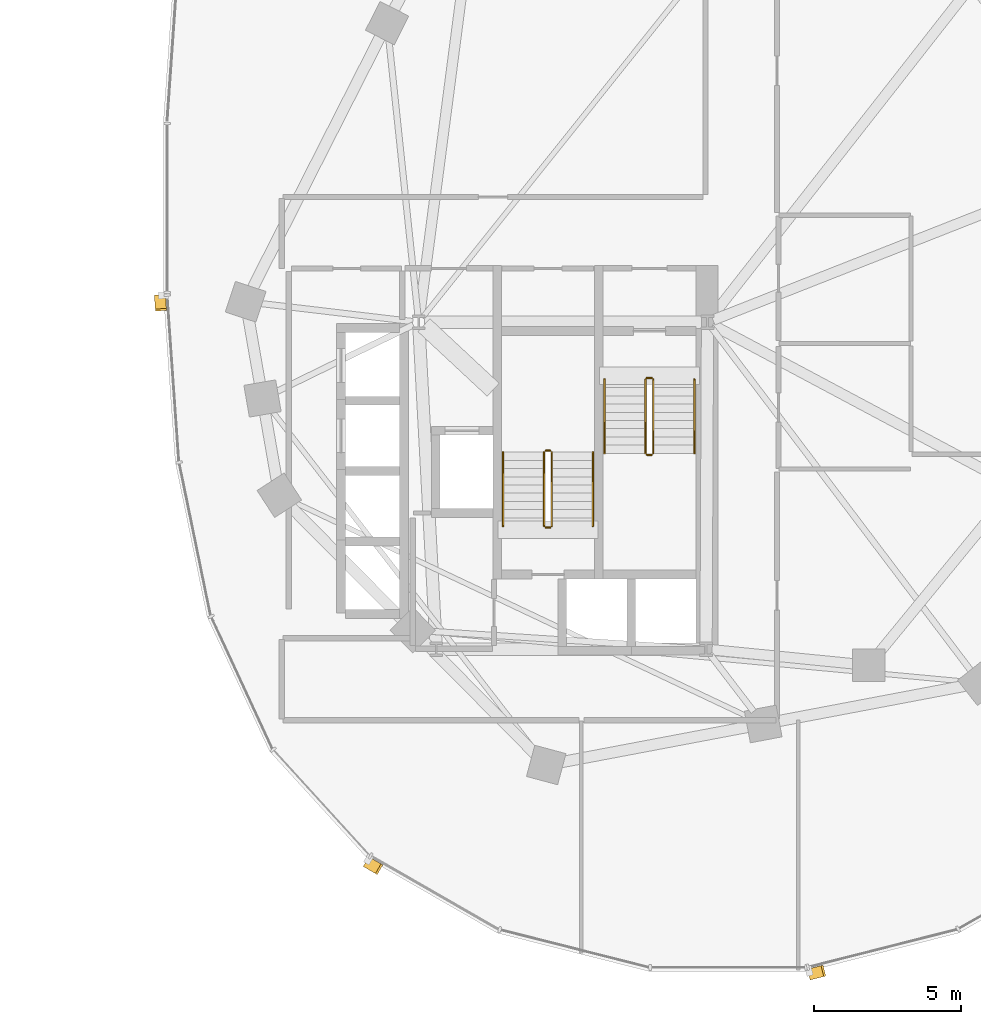
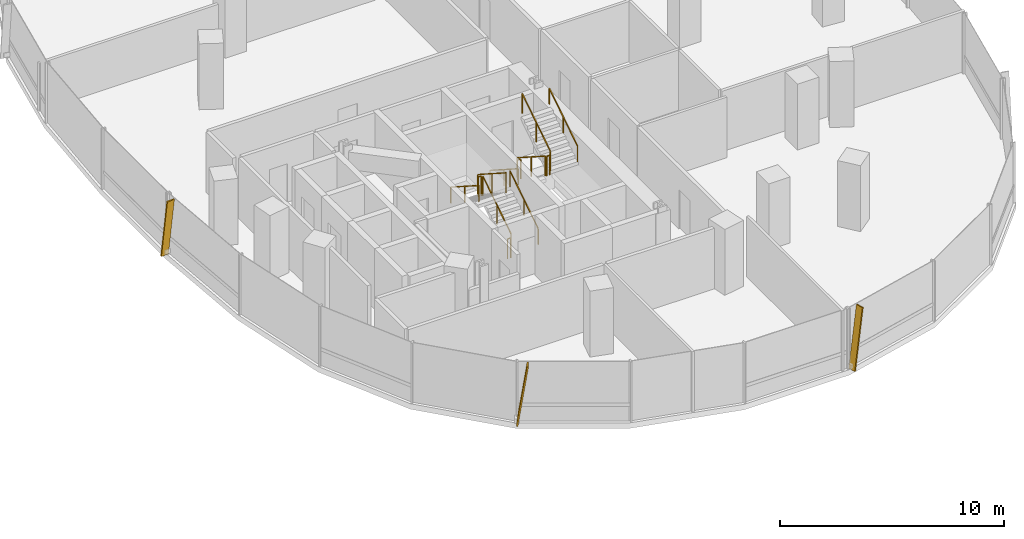
# One storey, part 20 of 21: 12 railings, 3 shading devices.
"""IFC4 building model written with IfcOpenShell, lengths in metres."""

from ifc_helpers import new_model, si_unit, direction, frame, origin, origin_2d, place, context, subcontext, project, spatial, rectangle, extrude, material, material_profile, profile_set, type_object, element, save


model = new_model("IFC4")

# Units and contexts
model_context = context("Model", 3, precision=1e-05, world=origin(), true_north=direction((0.0, 1.0)))
body_context = subcontext(model_context, "Body", "Model", "MODEL_VIEW")
ifc_project = project(units=[si_unit("LENGTHUNIT", "METRE"), si_unit("AREAUNIT", "SQUARE_METRE"), si_unit("VOLUMEUNIT", "CUBIC_METRE"), si_unit("PLANEANGLEUNIT", "RADIAN"), si_unit("MASSUNIT", "GRAM", prefix="KILO"), si_unit("THERMODYNAMICTEMPERATUREUNIT", "KELVIN"), si_unit("POWERUNIT", "WATT")], contexts=[model_context])

# Site, building, storey
site_placement = place(None, origin())
site = spatial("IfcSite", under=ifc_project, at=site_placement, CompositionType="ELEMENT")
building_placement = place(site_placement, origin())
building = spatial("IfcBuilding", under=site, at=building_placement, Name="Cundina Bronze Exchange", CompositionType="ELEMENT")
storey_placement = place(building_placement, frame((0.0, 0.0, 110.60009765625)))
storey = spatial("IfcBuildingStorey", under=building, at=storey_placement, Name="L28", CompositionType="ELEMENT", Elevation=110.60009765625)

# Railings
ifc_material_1 = material(Name="Steel ASTM A36 Painted", Category="steel")
railing_type_1 = type_object("IfcRailingType", Name="RLG-HND-900", PredefinedType="HANDRAIL", material=ifc_material_1)
railing_1_placement = place(storey_placement, frame((27.7900390625, -5.85009765625, 0.179931640625)))
element("IfcRailing", 1, at=railing_1_placement, inside=storey, type_object=railing_type_1, Name="L28 ST-E1 stair handrail 1", PredefinedType="HANDRAIL", context=body_context, shape_type="SweptSolid", body=[
    extrude(rectangle(XDim=0.048095703125, YDim=0.048095703125, at=origin_2d()), frame((0.0, 0.0, 0.8759765625), z_axis=(0.0, -0.841199657755, 0.540724639528), x_axis=(1.0, 0.0, 0.0)), (0.0, 0.0, 1.0), 2.995849609375),
    extrude(rectangle(XDim=0.0419921875, YDim=0.0419921875, at=origin_2d()), origin(), (0.0, 0.0, 1.0), 0.851806640625),
    extrude(rectangle(XDim=0.0419921875, YDim=0.0419921875, at=origin_2d()), frame((0.0, -1.260009765625, 0.81005859375)), (0.0, 0.0, 1.0), 0.851806640625),
    extrude(rectangle(XDim=0.0419921875, YDim=0.0419921875, at=origin_2d()), frame((0.0, -2.52001953125, 1.619873046875)), (0.0, 0.0, 1.0), 0.851806640625),
])
for number, where, name in (
    (2, (30.85009765625, -8.3701171875, 1.97998046875), "L28 ST-E1 stair handrail 2"),
    (3, (27.389892578125, -10.85009765625, 0.179931640625), "L28 ST-E2 stair handrail 1"),
):
    element("IfcRailing", number, at=place(storey_placement, frame(where)), inside=storey, type_object=railing_type_1, Name=name, PredefinedType="HANDRAIL", context=body_context, shape_type="SweptSolid", body=[
        extrude(rectangle(XDim=0.048095703125, YDim=0.048095703125, at=origin_2d()), frame((0.0, 0.0, 0.8759765625), z_axis=(0.0, 0.841199657755, 0.540724639528), x_axis=(-1.0, 0.0, 0.0)), (0.0, 0.0, 1.0), 2.995849609375),
        extrude(rectangle(XDim=0.0419921875, YDim=0.0419921875, at=origin_2d()), origin(), (0.0, 0.0, 1.0), 0.851806640625),
        extrude(rectangle(XDim=0.0419921875, YDim=0.0419921875, at=origin_2d()), frame((0.0, 1.260009765625, 0.81005859375)), (0.0, 0.0, 1.0), 0.851806640625),
        extrude(rectangle(XDim=0.0419921875, YDim=0.0419921875, at=origin_2d()), frame((0.0, 2.52001953125, 1.619873046875)), (0.0, 0.0, 1.0), 0.851806640625),
    ])
railing_2_placement = place(storey_placement, frame((24.330078125, -8.330078125, 1.97998046875)))
element("IfcRailing", 4, at=railing_2_placement, inside=storey, type_object=railing_type_1, Name="L28 ST-E2 stair handrail 2", PredefinedType="HANDRAIL", context=body_context, shape_type="SweptSolid", body=[
    extrude(rectangle(XDim=0.048095703125, YDim=0.048095703125, at=origin_2d()), frame((0.0, 0.0, 0.8759765625), z_axis=(0.0, -0.841199657755, 0.540724639528), x_axis=(1.0, 0.0, 0.0)), (0.0, 0.0, 1.0), 2.995849609375),
    extrude(rectangle(XDim=0.0419921875, YDim=0.0419921875, at=origin_2d()), origin(), (0.0, 0.0, 1.0), 0.851806640625),
    extrude(rectangle(XDim=0.0419921875, YDim=0.0419921875, at=origin_2d()), frame((0.0, -1.260009765625, 0.81005859375)), (0.0, 0.0, 1.0), 0.851806640625),
    extrude(rectangle(XDim=0.0419921875, YDim=0.0419921875, at=origin_2d()), frame((0.0, -2.52001953125, 1.619873046875)), (0.0, 0.0, 1.0), 0.851806640625),
])
railing_type_2 = type_object("IfcRailingType", Name="RLG-STG-1100", PredefinedType="GUARDRAIL", material=ifc_material_1)
railing_3_placement = place(storey_placement, frame((29.18994140625, -5.85009765625, 0.179931640625)))
element("IfcRailing", 5, at=railing_3_placement, inside=storey, type_object=railing_type_2, Name="L28 ST-E1 stair guard 1", PredefinedType="GUARDRAIL", context=body_context, shape_type="SweptSolid", body=[
    extrude(rectangle(XDim=0.048095703125, YDim=0.048095703125, at=origin_2d()), frame((0.0, 0.0, 1.076171875), z_axis=(0.0, -0.841199657755, 0.540724639528), x_axis=(1.0, 0.0, 0.0)), (0.0, 0.0, 1.0), 2.995849609375),
    extrude(rectangle(XDim=0.0419921875, YDim=0.0419921875, at=origin_2d()), origin(), (0.0, 0.0, 1.0), 1.052001953125),
    extrude(rectangle(XDim=0.0419921875, YDim=0.0419921875, at=origin_2d()), frame((0.0, -1.260009765625, 0.81005859375)), (0.0, 0.0, 1.0), 1.052001953125),
    extrude(rectangle(XDim=0.0419921875, YDim=0.0419921875, at=origin_2d()), frame((0.0, -2.52001953125, 1.619873046875)), (0.0, 0.0, 1.0), 1.052001953125),
])
railing_4_placement = place(storey_placement, frame((29.239990234375, -8.419921875, 1.7998046875)))
element("IfcRailing", 6, at=railing_4_placement, inside=storey, type_object=railing_type_2, Name="L28 ST-E1 stair guard 2", PredefinedType="GUARDRAIL", context=body_context, shape_type="SweptSolid", body=[
    extrude(rectangle(XDim=0.048095703125, YDim=0.048095703125, at=origin_2d()), frame((0.0, 0.0, 1.076171875), z_axis=(1.0, 0.0, 0.0), x_axis=(0.0, 1.0, 0.0)), (0.0, 0.0, 1.0), 0.159912109375),
    extrude(rectangle(XDim=0.0419921875, YDim=0.0419921875, at=origin_2d()), origin(), (0.0, 0.0, 1.0), 1.052001953125),
    extrude(rectangle(XDim=0.0419921875, YDim=0.0419921875, at=origin_2d()), frame((0.159912109375, 0.0, 0.0)), (0.0, 0.0, 1.0), 1.052001953125),
])
railing_5_placement = place(storey_placement, frame((29.449951171875, -8.3701171875, 1.97998046875)))
element("IfcRailing", 7, at=railing_5_placement, inside=storey, type_object=railing_type_2, Name="L28 ST-E1 stair guard 3", PredefinedType="GUARDRAIL", context=body_context, shape_type="SweptSolid", body=[
    extrude(rectangle(XDim=0.048095703125, YDim=0.048095703125, at=origin_2d()), frame((0.0, 0.0, 1.076171875), z_axis=(0.0, 0.841199657755, 0.540724639528), x_axis=(-1.0, 0.0, 0.0)), (0.0, 0.0, 1.0), 2.995849609375),
    extrude(rectangle(XDim=0.0419921875, YDim=0.0419921875, at=origin_2d()), origin(), (0.0, 0.0, 1.0), 1.052001953125),
    extrude(rectangle(XDim=0.0419921875, YDim=0.0419921875, at=origin_2d()), frame((0.0, 1.260009765625, 0.81005859375)), (0.0, 0.0, 1.0), 1.052001953125),
    extrude(rectangle(XDim=0.0419921875, YDim=0.0419921875, at=origin_2d()), frame((0.0, 2.52001953125, 1.619873046875)), (0.0, 0.0, 1.0), 1.052001953125),
])
railing_6_placement = place(storey_placement, frame((29.239990234375, -5.800048828125, 0.0)))
element("IfcRailing", 8, at=railing_6_placement, inside=storey, type_object=railing_type_2, Name="L28 ST-E1 stair guard 4", PredefinedType="GUARDRAIL", context=body_context, shape_type="SweptSolid", body=[
    extrude(rectangle(XDim=0.048095703125, YDim=0.048095703125, at=origin_2d()), frame((0.0, 0.0, 1.076171875), z_axis=(1.0, 0.0, 0.0), x_axis=(0.0, 1.0, 0.0)), (0.0, 0.0, 1.0), 0.159912109375),
    extrude(rectangle(XDim=0.0419921875, YDim=0.0419921875, at=origin_2d()), origin(), (0.0, 0.0, 1.0), 1.052001953125),
    extrude(rectangle(XDim=0.0419921875, YDim=0.0419921875, at=origin_2d()), frame((0.159912109375, 0.0, 0.0)), (0.0, 0.0, 1.0), 1.052001953125),
])
railing_7_placement = place(storey_placement, frame((25.989990234375, -10.85009765625, 0.179931640625)))
element("IfcRailing", 9, at=railing_7_placement, inside=storey, type_object=railing_type_2, Name="L28 ST-E2 stair guard 1", PredefinedType="GUARDRAIL", context=body_context, shape_type="SweptSolid", body=[
    extrude(rectangle(XDim=0.048095703125, YDim=0.048095703125, at=origin_2d()), frame((0.0, 0.0, 1.076171875), z_axis=(0.0, 0.841199657755, 0.540724639528), x_axis=(-1.0, 0.0, 0.0)), (0.0, 0.0, 1.0), 2.995849609375),
    extrude(rectangle(XDim=0.0419921875, YDim=0.0419921875, at=origin_2d()), origin(), (0.0, 0.0, 1.0), 1.052001953125),
    extrude(rectangle(XDim=0.0419921875, YDim=0.0419921875, at=origin_2d()), frame((0.0, 1.260009765625, 0.81005859375)), (0.0, 0.0, 1.0), 1.052001953125),
    extrude(rectangle(XDim=0.0419921875, YDim=0.0419921875, at=origin_2d()), frame((0.0, 2.52001953125, 1.619873046875)), (0.0, 0.0, 1.0), 1.052001953125),
])
railing_8_placement = place(storey_placement, frame((25.93994140625, -8.280029296875, 1.7998046875)))
element("IfcRailing", 10, at=railing_8_placement, inside=storey, type_object=railing_type_2, Name="L28 ST-E2 stair guard 2", PredefinedType="GUARDRAIL", context=body_context, shape_type="SweptSolid", body=[
    extrude(rectangle(XDim=0.048095703125, YDim=0.048095703125, at=origin_2d()), frame((0.0, 0.0, 1.076171875), z_axis=(-1.0, 0.0, 0.0), x_axis=(0.0, -1.0, 0.0)), (0.0, 0.0, 1.0), 0.159912109375),
    extrude(rectangle(XDim=0.0419921875, YDim=0.0419921875, at=origin_2d()), origin(), (0.0, 0.0, 1.0), 1.052001953125),
    extrude(rectangle(XDim=0.0419921875, YDim=0.0419921875, at=origin_2d()), frame((-0.159912109375, 0.0, 0.0)), (0.0, 0.0, 1.0), 1.052001953125),
])
railing_9_placement = place(storey_placement, frame((25.72998046875, -8.330078125, 1.97998046875)))
element("IfcRailing", 11, at=railing_9_placement, inside=storey, type_object=railing_type_2, Name="L28 ST-E2 stair guard 3", PredefinedType="GUARDRAIL", context=body_context, shape_type="SweptSolid", body=[
    extrude(rectangle(XDim=0.048095703125, YDim=0.048095703125, at=origin_2d()), frame((0.0, 0.0, 1.076171875), z_axis=(0.0, -0.841199657755, 0.540724639528), x_axis=(1.0, 0.0, 0.0)), (0.0, 0.0, 1.0), 2.995849609375),
    extrude(rectangle(XDim=0.0419921875, YDim=0.0419921875, at=origin_2d()), origin(), (0.0, 0.0, 1.0), 1.052001953125),
    extrude(rectangle(XDim=0.0419921875, YDim=0.0419921875, at=origin_2d()), frame((0.0, -1.260009765625, 0.81005859375)), (0.0, 0.0, 1.0), 1.052001953125),
    extrude(rectangle(XDim=0.0419921875, YDim=0.0419921875, at=origin_2d()), frame((0.0, -2.52001953125, 1.619873046875)), (0.0, 0.0, 1.0), 1.052001953125),
])
railing_10_placement = place(storey_placement, frame((25.93994140625, -10.89990234375, 0.0)))
element("IfcRailing", 12, at=railing_10_placement, inside=storey, type_object=railing_type_2, Name="L28 ST-E2 stair guard 4", PredefinedType="GUARDRAIL", context=body_context, shape_type="SweptSolid", body=[
    extrude(rectangle(XDim=0.048095703125, YDim=0.048095703125, at=origin_2d()), frame((0.0, 0.0, 1.076171875), z_axis=(-1.0, 0.0, 0.0), x_axis=(0.0, -1.0, 0.0)), (0.0, 0.0, 1.0), 0.159912109375),
    extrude(rectangle(XDim=0.0419921875, YDim=0.0419921875, at=origin_2d()), origin(), (0.0, 0.0, 1.0), 1.052001953125),
    extrude(rectangle(XDim=0.0419921875, YDim=0.0419921875, at=origin_2d()), frame((-0.159912109375, 0.0, 0.0)), (0.0, 0.0, 1.0), 1.052001953125),
])

# Shading devices
ifc_material_2 = material(Name="Anodised Bronze Aluminium 6063-T6", Category="aluminium")
ifc_material_profile = material_profile(ifc_material_2, rectangle(XDim=0.070068359375, YDim=0.3798828125, at=origin_2d()), Name="FIN70X380", Category="aluminium")
ifc_profile_set = profile_set([ifc_material_profile], Name="Anodised Bronze Aluminium 6063-T6")
shading_device_type = type_object("IfcShadingDeviceType", Name="SHD-FIN-BRZ380", PredefinedType="USERDEFINED", material=ifc_profile_set)
for number, where, z_axis, x_axis, name in (
    (13, (12.6259765625, -2.993896484375, 0.02001953125), (0.01022529535, -0.145302928853, 0.989334373304), (-0.069449940286, 0.986893716667, 0.145662273078), "L28 Diagonal Bronze Solar Fin 1"),
    (14, (19.685791015625, -22.314208984375, 0.02001953125), (0.126333952546, -0.072540140494, 0.989331926328), (-0.857956914638, 0.492633325179, 0.145678891912), "L28 Diagonal Bronze Solar Fin 5"),
    (15, (34.787353515625, -26.138427734375, 0.02001953125), (0.141227399308, 0.035714379048, 0.989332757374), (-0.959138992792, -0.242552463025, 0.145673248011), "L28 Diagonal Bronze Solar Fin 1"),
):
    element("IfcShadingDevice", number, at=place(storey_placement, frame(where, z_axis=z_axis, x_axis=x_axis)), inside=storey, type_object=shading_device_type, Name=name, ObjectType="FIN", PredefinedType="USERDEFINED", context=body_context, shape_type="SweptSolid", body=[
        extrude(rectangle(XDim=0.070068359375, YDim=0.3798828125, at=origin_2d()), origin(), (0.0, 0.0, 1.0), 3.294921875),
    ])

save(model, "model.ifc")
